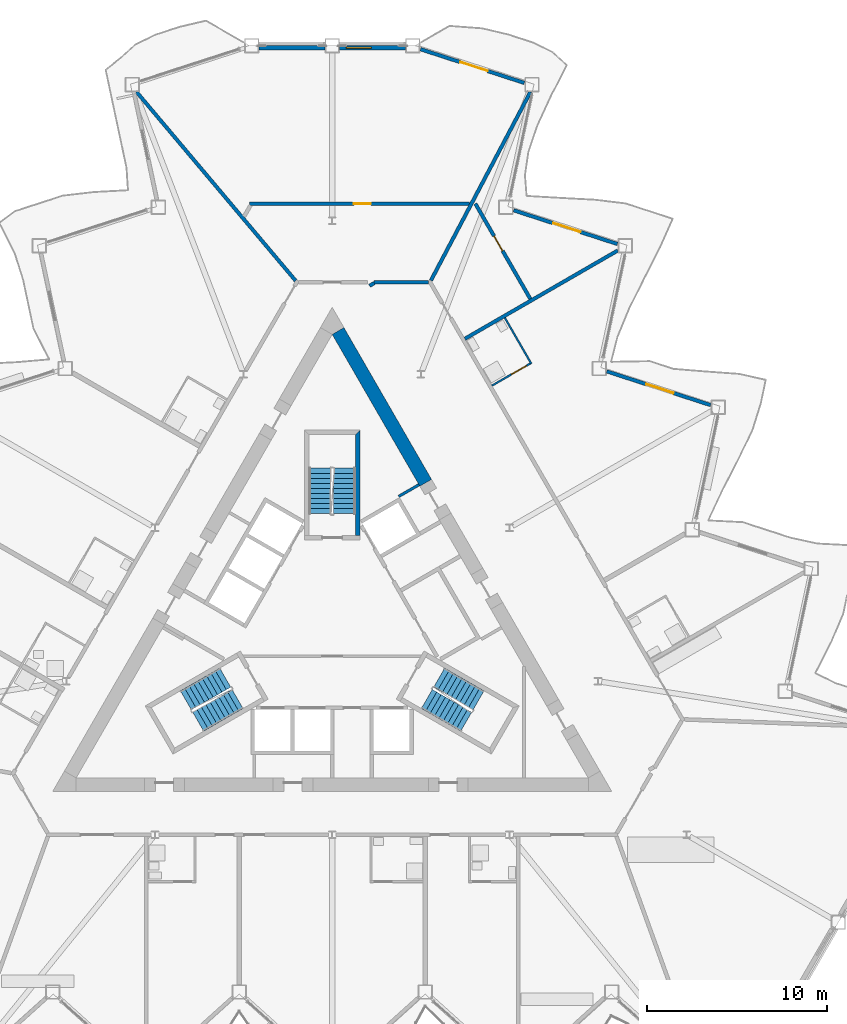
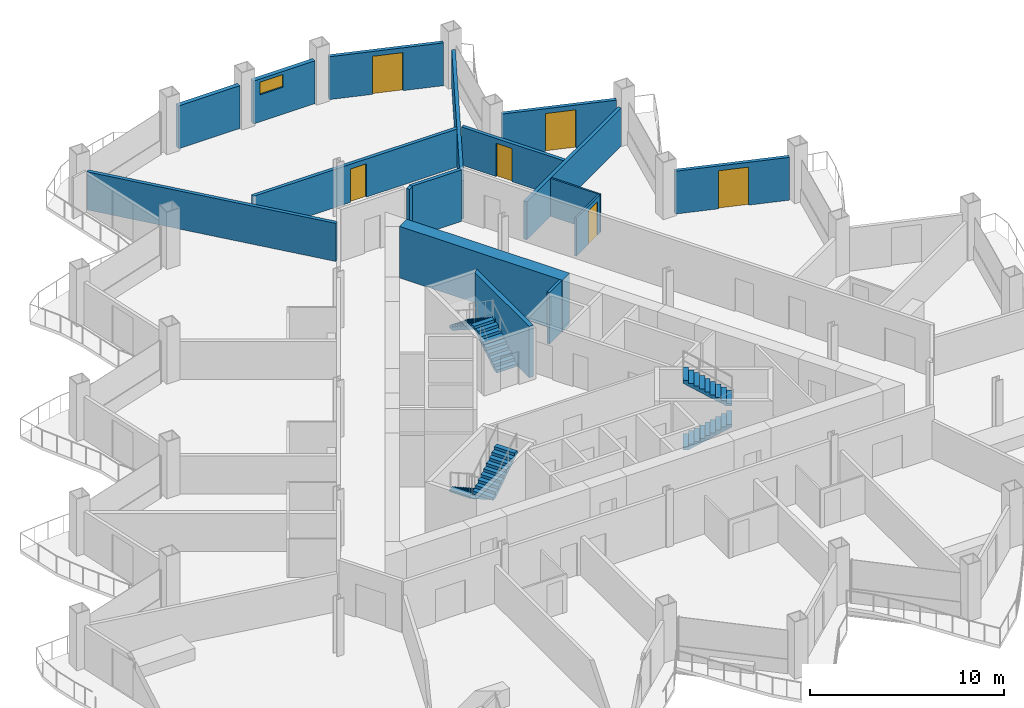
# One storey, part 15 of 23: 17 walls, 6 doors, 6 stair flights, 1 window, 7 openings, 3 elements without a shape of their own.
"""IFC4 building model written with IfcOpenShell, lengths in metres."""

from ifc_helpers import new_model, si_unit, direction, frame, frame_2d, origin, place, context, subcontext, project, spatial, polyline, rectangle, outline, extrude, material, layer, layer_set, type_object, element, fill, aggregate, save


model = new_model("IFC4")

# Units and contexts
model_context = context("Model", 3, precision=1e-05, world=origin(), true_north=direction((0.0, 1.0)))
body_context = subcontext(model_context, "Body", "Model", "MODEL_VIEW")
ifc_project = project(units=[si_unit("LENGTHUNIT", "METRE"), si_unit("AREAUNIT", "SQUARE_METRE"), si_unit("VOLUMEUNIT", "CUBIC_METRE"), si_unit("PLANEANGLEUNIT", "RADIAN"), si_unit("MASSUNIT", "GRAM", prefix="KILO")], contexts=[model_context])

# Site, building, storey
site_placement = place(None, origin())
site = spatial("IfcSite", under=ifc_project, at=site_placement, CompositionType="ELEMENT")
building_placement = place(site_placement, origin())
building = spatial("IfcBuilding", under=site, at=building_placement, Name="Cormorant Prow Tower", CompositionType="ELEMENT")
storey_placement = place(building_placement, frame((0.0, 0.0, 212.39990234375)))
storey = spatial("IfcBuildingStorey", under=building, at=storey_placement, Name="L47", CompositionType="ELEMENT", Elevation=212.39990234375)

# Walls
ifc_material_1 = material(Name="Gypsum board partition")
ifc_layer_1 = layer(ifc_material_1, 0.14990234375)
ifc_layer_set_1 = layer_set([ifc_layer_1], Name="Gypsum board partition")
wall_type_1 = type_object("IfcWallType", Name="Core partition 150", PredefinedType="PARTITIONING", material=ifc_layer_set_1)
wall_1_placement = place(storey_placement, frame((3.693359375, 7.4150390625, 0.0), z_axis=(0.0, 0.0, 1.0), x_axis=(0.866003189247, 0.500038474733, 0.0)))
element("IfcWall", 1, at=wall_1_placement, inside=storey, type_object=wall_type_1, Name="Service room partition", PredefinedType="PARTITIONING", context=body_context, shape_type="SweptSolid", body=[
    extrude(rectangle(XDim=1.29296875, YDim=0.14990234375, at=frame_2d((0.646484375, 0.0))), origin(), (0.0, 0.0, 1.0), 3.25),
])
ifc_material_2 = material(Name="Concrete 8000 psi", Category="concrete")
ifc_layer_2 = layer(ifc_material_2, 0.75)
ifc_layer_set_2 = layer_set([ifc_layer_2], Name="Concrete 8000 psi")
wall_type_2 = type_object("IfcWallType", Name="Core shear wall 750", PredefinedType="SHEAR", material=ifc_layer_set_2)
wall_2_placement = place(storey_placement, frame((5.185302734375, 8.166748046875, 0.0), z_axis=(0.0, 0.0, 1.0), x_axis=(-0.500004344816, 0.866022895289, 0.0)))
element("IfcWall", 2, at=wall_2_placement, inside=storey, type_object=wall_type_2, Name="Core wall", PredefinedType="SHEAR", context=body_context, shape_type="SweptSolid", body=[
    extrude(rectangle(XDim=9.72119140625, YDim=0.75, at=frame_2d((4.860595703125, 0.0))), origin(), (0.0, 0.0, 1.0), 3.25),
])
ifc_material_3 = material(Name="Gypsum board corridor wall")
ifc_layer_3 = layer(ifc_material_3, 0.199951171875)
ifc_layer_set_3 = layer_set([ifc_layer_3], Name="Gypsum board corridor wall")
wall_type_3 = type_object("IfcWallType", Name="Corridor wall 200", PredefinedType="PARTITIONING", material=ifc_layer_set_3)
wall_3_placement = place(storey_placement, frame((2.324951171875, 19.2978515625, 0.0), z_axis=(0.0, 0.0, 1.0), x_axis=(1.0, 0.0, 0.0)))
element("IfcWall", 3, at=wall_3_placement, inside=storey, type_object=wall_type_3, Name="Corridor wall", PredefinedType="PARTITIONING", context=body_context, shape_type="SweptSolid", body=[
    extrude(rectangle(XDim=3.002197265625, YDim=0.199951171875, at=frame_2d((1.5009765625, 0.0))), origin(), (0.0, 0.0, 1.0), 3.25),
])
wall_4_placement = place(storey_placement, frame((2.06982421875, 19.093017578125, 0.0), z_axis=(0.0, 0.0, 1.0), x_axis=(0.866395311824, 0.499358752451, 0.0)))
element("IfcWall", 4, at=wall_4_placement, inside=storey, type_object=wall_type_3, Name="Corridor wall", PredefinedType="PARTITIONING", context=body_context, shape_type="SweptSolid", body=[
    extrude(rectangle(XDim=0.31005859375, YDim=0.199951171875, at=frame_2d((0.155029296875, 0.0))), origin(), (0.0, 0.0, 1.0), 3.25),
])
ifc_material_4 = material(Name="Gypsum board demising wall")
ifc_layer_4 = layer(ifc_material_4, 0.199951171875)
ifc_layer_set_4 = layer_set([ifc_layer_4], Name="Gypsum board demising wall")
wall_type_4 = type_object("IfcWallType", Name="Demising wall 200", PredefinedType="PARTITIONING", material=ifc_layer_set_4)
wall_5_placement = place(storey_placement, frame((-10.848388671875, 29.841796875, 0.0), z_axis=(0.0, 0.0, 1.0), x_axis=(0.644393845782, -0.764693776305, 0.0)))
element("IfcWall", 5, at=wall_5_placement, inside=storey, type_object=wall_type_4, Name="Demising wall", PredefinedType="PARTITIONING", context=body_context, shape_type="SweptSolid", body=[
    extrude(rectangle(XDim=13.6884765625, YDim=0.199951171875, at=frame_2d((6.84423828125, 0.0))), origin(), (0.0, 0.0, 1.0), 2.404296875),
])

# Wall, opening, door
wall_6_placement = place(storey_placement, frame((-4.574462890625, 23.64794921875, 0.0), z_axis=(0.0, 0.0, 1.0), x_axis=(1.0, 0.0, 0.0)))
wall_6 = element("IfcWall", 6, at=wall_6_placement, inside=storey, type_object=wall_type_4, Name="Demising wall", PredefinedType="PARTITIONING", context=body_context, shape_type="SweptSolid", body=[
    extrude(rectangle(XDim=12.197509765625, YDim=0.199951171875, at=frame_2d((6.0986328125, 0.0))), origin(), (0.0, 0.0, 1.0), 2.404296875),
])
opening_1_placement = place(wall_6_placement, frame((5.7744140625, 0.0, 0.0)))
opening_1 = element("IfcOpeningElement", 7, at=opening_1_placement, cuts=wall_6, Name="Opening L47-F18", PredefinedType="OPENING", context=body_context, shape_type="SweptSolid", body=[
    extrude(rectangle(XDim=0.949951171875, YDim=2.10009765625, at=frame_2d((0.47509765625, 1.050048828125))), frame((0.0, 0.10986328125, 0.0), z_axis=(0.0, -1.0, 0.0), x_axis=(1.0, 0.0, 0.0)), (0.0, 0.0, 1.0), 0.219970703125),
])
ifc_material_5 = material(Name="Timber door leaf", Category="wood")
door_type_1 = type_object("IfcDoorType", Name="Store door 950x2100", OperationType="NOTDEFINED", PredefinedType="DOOR", material=ifc_material_5)
door_1_placement = place(opening_1_placement, origin())
door_1 = element("IfcDoor", 8, at=door_1_placement, inside=storey, type_object=door_type_1, Name="Luggage store door", OperationType="SINGLE_SWING_LEFT", OverallHeight=2.10009765625, OverallWidth=0.949951171875, PredefinedType="DOOR", context=body_context, shape_type="SweptSolid", body=[
    extrude(rectangle(XDim=0.949951171875, YDim=2.10009765625, at=frame_2d((0.47509765625, 1.050048828125))), frame((0.0, 0.02490234375, 0.0), z_axis=(0.0, -1.0, 0.0), x_axis=(1.0, 0.0, 0.0)), (0.0, 0.0, 1.0), 0.050048828125),
])
fill(opening_1, door_1)

# Walls
wall_7_placement = place(storey_placement, frame((5.473876953125, 19.38623046875, 0.0), z_axis=(0.0, 0.0, 1.0), x_axis=(0.46676490071, 0.884381437766, 0.0)))
element("IfcWall", 9, at=wall_7_placement, inside=storey, type_object=wall_type_4, Name="Demising wall", PredefinedType="PARTITIONING", context=body_context, shape_type="SweptSolid", body=[
    extrude(rectangle(XDim=11.822509765625, YDim=0.199951171875, at=frame_2d((5.9111328125, 0.0))), origin(), (0.0, 0.0, 1.0), 2.404296875),
])
wall_8_placement = place(storey_placement, frame((7.357421875, 16.154296875, 0.0), z_axis=(0.0, 0.0, 1.0), x_axis=(0.866029004385, 0.499993763526, 0.0)))
element("IfcWall", 10, at=wall_8_placement, inside=storey, type_object=wall_type_4, Name="Demising wall", PredefinedType="PARTITIONING", context=body_context, shape_type="SweptSolid", body=[
    extrude(rectangle(XDim=9.788818359375, YDim=0.199951171875, at=frame_2d((4.89453125, 0.0))), origin(), (0.0, 0.0, 1.0), 2.404296875),
])

# Wall, opening, door
wall_9_placement = place(storey_placement, frame((7.938720703125, 23.64794921875, 0.0), z_axis=(0.0, 0.0, 1.0), x_axis=(0.499970785833, -0.866042269935, 0.0)))
wall_9 = element("IfcWall", 11, at=wall_9_placement, inside=storey, type_object=wall_type_4, Name="Demising wall", PredefinedType="PARTITIONING", context=body_context, shape_type="SweptSolid", body=[
    extrude(rectangle(XDim=6.098876953125, YDim=0.199951171875, at=frame_2d((3.04931640625, 0.0))), origin(), (0.0, 0.0, 1.0), 2.404296875),
])
opening_2_placement = place(wall_9_placement, frame((2.069091796875, 0.0, 0.0)))
opening_2 = element("IfcOpeningElement", 12, at=opening_2_placement, cuts=wall_9, Name="Opening L47-F16", PredefinedType="OPENING", context=body_context, shape_type="SweptSolid", body=[
    extrude(rectangle(XDim=0.949951171875, YDim=2.10009765625, at=frame_2d((0.47509765625, 1.050048828125))), frame((0.0, 0.10986328125, 0.0), z_axis=(0.0, -1.0, 0.0), x_axis=(1.0, 0.0, 0.0)), (0.0, 0.0, 1.0), 0.219970703125),
])
door_2_placement = place(opening_2_placement, origin())
door_2 = element("IfcDoor", 13, at=door_2_placement, inside=storey, type_object=door_type_1, Name="Linen store door", OperationType="SINGLE_SWING_RIGHT", OverallHeight=2.10009765625, OverallWidth=0.949951171875, PredefinedType="DOOR", context=body_context, shape_type="SweptSolid", body=[
    extrude(rectangle(XDim=0.949951171875, YDim=2.10009765625, at=frame_2d((0.47509765625, 1.050048828125))), frame((0.0, 0.02490234375, 0.0), z_axis=(0.0, -1.0, 0.0), x_axis=(1.0, 0.0, 0.0)), (0.0, 0.0, 1.0), 0.050048828125),
])
fill(opening_2, door_2)

# Wall
ifc_material_6 = material(Name="Gypsum board partition")
ifc_layer_5 = layer(ifc_material_6, 0.10009765625)
ifc_layer_set_5 = layer_set([ifc_layer_5], Name="Gypsum board partition")
wall_type_5 = type_object("IfcWallType", Name="Internal partition 100", PredefinedType="PARTITIONING", material=ifc_layer_set_5)
wall_10_placement = place(storey_placement, frame((9.572509765625, 17.317626953125, 0.0), z_axis=(0.0, 0.0, 1.0), x_axis=(0.500037662692, -0.866003658127, 0.0)))
element("IfcWall", 14, at=wall_10_placement, inside=storey, type_object=wall_type_5, Name="Internal partition", PredefinedType="PARTITIONING", context=body_context, shape_type="SweptSolid", body=[
    extrude(rectangle(XDim=2.949951171875, YDim=0.10009765625, at=frame_2d((1.47509765625, 0.0))), origin(), (0.0, 0.0, 1.0), 2.404296875),
])

# Wall, opening, door
wall_11_placement = place(storey_placement, frame((8.857421875, 13.55615234375, 0.0), z_axis=(0.0, 0.0, 1.0), x_axis=(0.866014668023, 0.500018594424, 0.0)))
wall_11 = element("IfcWall", 15, at=wall_11_placement, inside=storey, type_object=wall_type_5, Name="Internal partition", PredefinedType="PARTITIONING", context=body_context, shape_type="SweptSolid", body=[
    extrude(rectangle(XDim=2.4501953125, YDim=0.10009765625, at=frame_2d((1.22509765625, 0.0))), origin(), (0.0, 0.0, 1.0), 2.404296875),
])
opening_3_placement = place(wall_11_placement, frame((1.25, 0.0, 0.0)))
opening_3 = element("IfcOpeningElement", 16, at=opening_3_placement, cuts=wall_11, Name="Opening L47-F14", PredefinedType="OPENING", context=body_context, shape_type="SweptSolid", body=[
    extrude(rectangle(XDim=0.949951171875, YDim=2.10009765625, at=frame_2d((0.47509765625, 1.050048828125))), frame((0.0, 0.06005859375, 0.0), z_axis=(0.0, -1.0, 0.0), x_axis=(1.0, 0.0, 0.0)), (0.0, 0.0, 1.0), 0.1201171875),
])
ifc_material_7 = material(Name="Timber door leaf", Category="wood")
door_type_2 = type_object("IfcDoorType", Name="Bathroom door 950x2100", OperationType="NOTDEFINED", PredefinedType="DOOR", material=ifc_material_7)
door_3_placement = place(opening_3_placement, origin())
door_3 = element("IfcDoor", 17, at=door_3_placement, inside=storey, type_object=door_type_2, Name="Executive suite bedroom door", OperationType="SINGLE_SWING_RIGHT", OverallHeight=2.10009765625, OverallWidth=0.949951171875, PredefinedType="DOOR", context=body_context, shape_type="SweptSolid", body=[
    extrude(rectangle(XDim=0.949951171875, YDim=2.10009765625, at=frame_2d((0.47509765625, 1.050048828125))), frame((0.0, 0.02490234375, 0.0), z_axis=(0.0, -1.0, 0.0), x_axis=(1.0, 0.0, 0.0)), (0.0, 0.0, 1.0), 0.050048828125),
])
fill(opening_3, door_3)

# Wall
ifc_material_8 = material(Name="Concrete 8000 psi", Category="concrete")
ifc_layer_6 = layer(ifc_material_8, 0.25)
ifc_layer_set_6 = layer_set([ifc_layer_6], Name="Concrete 8000 psi")
wall_type_6 = type_object("IfcWallType", Name="Stair wall 250", PredefinedType="SHEAR", material=ifc_layer_set_6)
wall_12_placement = place(storey_placement, origin())
element("IfcWall", 18, at=wall_12_placement, inside=storey, type_object=wall_type_6, Name="Stair ST3 enclosure wall (flank)", PredefinedType="SHEAR", context=body_context, shape_type="SweptSolid", body=[
    extrude(outline(polyline([(1.5439453125, 5.23681640625), (1.5439453125, 11.0869140625), (1.2939453125, 10.8369140625), (1.2939453125, 5.23681640625), (1.5439453125, 5.23681640625)])), origin(), (0.0, 0.0, 1.0), 3.25),
])

# Wall, opening, window
ifc_material_9 = material(Name="Terracotta", Category="masonry")
ifc_layer_7 = layer(ifc_material_9, 0.25)
ifc_layer_set_7 = layer_set([ifc_layer_7], Name="Terracotta")
wall_type_7 = type_object("IfcWallType", Name="Terracotta bay wall 250", PredefinedType="SOLIDWALL", material=ifc_layer_set_7)
wall_13_placement = place(storey_placement, frame((4.0703125, 32.2919921875, 0.0), z_axis=(0.0, 0.0, 1.0), x_axis=(-1.0, 0.0, 0.0)))
wall_13 = element("IfcWall", 19, at=wall_13_placement, inside=storey, type_object=wall_type_7, Name="Terracotta bay wall N00", PredefinedType="SOLIDWALL", context=body_context, shape_type="SweptSolid", body=[
    extrude(rectangle(XDim=3.67041015625, YDim=0.25, at=frame_2d((1.835205078125, 0.0))), origin(), (0.0, 0.0, 1.0), 2.700927734375),
])
opening_4_placement = place(wall_13_placement, frame((1.89697265625, 0.0, 1.699951171875)))
opening_4 = element("IfcOpeningElement", 20, at=opening_4_placement, cuts=wall_13, Name="Opening WN3", PredefinedType="OPENING", context=body_context, shape_type="SweptSolid", body=[
    extrude(rectangle(XDim=1.39990234375, YDim=0.800048828125, at=frame_2d((0.699951171875, 0.39990234375))), frame((0.0, 0.135009765625, 0.0), z_axis=(0.0, -1.0, 0.0), x_axis=(1.0, 0.0, 0.0)), (0.0, 0.0, 1.0), 0.27001953125),
])
ifc_material_10 = material(Name="Aluminium 6063-T6", Category="aluminium")
window_type = type_object("IfcWindowType", Name="Corner bay window 1400x800", PartitioningType="SINGLE_PANEL", PredefinedType="WINDOW", material=ifc_material_10)
window_placement = place(opening_4_placement, origin())
window = element("IfcWindow", 21, at=window_placement, inside=storey, type_object=window_type, Name="Corner bay window N00", OverallHeight=0.800048828125, OverallWidth=1.39990234375, PartitioningType="SINGLE_PANEL", PredefinedType="WINDOW", context=body_context, shape_type="SweptSolid", body=[
    extrude(rectangle(XDim=1.39990234375, YDim=0.800048828125, at=frame_2d((0.699951171875, 0.39990234375))), frame((0.0, 0.030029296875, 0.0), z_axis=(0.0, -1.0, 0.0), x_axis=(1.0, 0.0, 0.0)), (0.0, 0.0, 1.0), 0.06005859375),
])
fill(opening_4, window)

# Wall
wall_14_placement = place(storey_placement, frame((-0.39990234375, 32.2919921875, 0.0), z_axis=(0.0, 0.0, 1.0), x_axis=(-1.0, 0.0, 0.0)))
element("IfcWall", 22, at=wall_14_placement, inside=storey, type_object=wall_type_7, Name="Terracotta bay wall N01", PredefinedType="SOLIDWALL", context=body_context, shape_type="SweptSolid", body=[
    extrude(rectangle(XDim=3.67041015625, YDim=0.25, at=frame_2d((1.835205078125, 0.0))), origin(), (0.0, 0.0, 1.0), 2.700927734375),
])

# Wall, opening, door
ifc_material_11 = material(Name="Terracotta", Category="masonry")
ifc_layer_8 = layer(ifc_material_11, 0.199951171875)
ifc_layer_set_8 = layer_set([ifc_layer_8], Name="Terracotta")
wall_type_8 = type_object("IfcWallType", Name="Terracotta jamb wall 200", PredefinedType="SOLIDWALL", material=ifc_layer_set_8)
wall_15_placement = place(storey_placement, frame((20.98486328125, 12.47607421875, 0.0), z_axis=(0.0, 0.0, 1.0), x_axis=(-0.951058356211, 0.30901133164, 0.0)))
wall_15 = element("IfcWall", 23, at=wall_15_placement, inside=storey, type_object=wall_type_8, Name="Terracotta jamb wall ENE05", PredefinedType="SOLIDWALL", context=body_context, shape_type="SweptSolid", body=[
    extrude(rectangle(XDim=6.056640625, YDim=0.199951171875, at=frame_2d((3.0283203125, 0.0))), origin(), (0.0, 0.0, 1.0), 2.700927734375),
])
opening_5_placement = place(wall_15_placement, frame((2.15869140625, 0.0, 0.0)))
opening_5 = element("IfcOpeningElement", 24, at=opening_5_placement, cuts=wall_15, Name="Opening ED47.08", PredefinedType="OPENING", context=body_context, shape_type="SweptSolid", body=[
    extrude(rectangle(XDim=1.60009765625, YDim=2.39990234375, at=frame_2d((0.800048828125, 1.199951171875))), frame((0.0, 0.10986328125, 0.0), z_axis=(0.0, -1.0, 0.0), x_axis=(1.0, 0.0, 0.0)), (0.0, 0.0, 1.0), 0.219970703125),
])
ifc_material_12 = material(Name="Aluminium 6063-T6", Category="aluminium")
door_type_3 = type_object("IfcDoorType", Name="Balcony door 1600x2400", OperationType="DOUBLE_DOOR_SINGLE_SWING", PredefinedType="DOOR", material=ifc_material_12)
door_4_placement = place(opening_5_placement, origin())
door_4 = element("IfcDoor", 25, at=door_4_placement, inside=storey, type_object=door_type_3, Name="Balcony door ENE05 ED47.08", OperationType="DOUBLE_DOOR_SINGLE_SWING", OverallHeight=2.39990234375, OverallWidth=1.60009765625, PredefinedType="DOOR", context=body_context, shape_type="SweptSolid", body=[
    extrude(rectangle(XDim=1.60009765625, YDim=2.39990234375, at=frame_2d((0.800048828125, 1.199951171875))), frame((0.0, 0.02490234375, 0.0), z_axis=(0.0, -1.0, 0.0), x_axis=(1.0, 0.0, 0.0)), (0.0, 0.0, 1.0), 0.050048828125),
])
fill(opening_5, door_4)

wall_16_placement = place(storey_placement, frame((15.820068359375, 21.408935546875, 0.0), z_axis=(0.0, 0.0, 1.0), x_axis=(-0.951058356211, 0.30901133164, 0.0)))
wall_16 = element("IfcWall", 26, at=wall_16_placement, inside=storey, type_object=wall_type_8, Name="Terracotta jamb wall ENE07", PredefinedType="SOLIDWALL", context=body_context, shape_type="SweptSolid", body=[
    extrude(rectangle(XDim=6.056640625, YDim=0.199951171875, at=frame_2d((3.0283203125, 0.0))), origin(), (0.0, 0.0, 1.0), 2.700927734375),
])
opening_6_placement = place(wall_16_placement, frame((2.149169921875, 0.0, 0.0)))
opening_6 = element("IfcOpeningElement", 27, at=opening_6_placement, cuts=wall_16, Name="Opening ED47.09", PredefinedType="OPENING", context=body_context, shape_type="SweptSolid", body=[
    extrude(rectangle(XDim=1.60009765625, YDim=2.39990234375, at=frame_2d((0.800048828125, 1.199951171875))), frame((0.0, 0.10986328125, 0.0), z_axis=(0.0, -1.0, 0.0), x_axis=(1.0, 0.0, 0.0)), (0.0, 0.0, 1.0), 0.219970703125),
])
door_5_placement = place(opening_6_placement, origin())
door_5 = element("IfcDoor", 28, at=door_5_placement, inside=storey, type_object=door_type_3, Name="Balcony door ENE07 ED47.09", OperationType="DOUBLE_DOOR_SINGLE_SWING", OverallHeight=2.39990234375, OverallWidth=1.60009765625, PredefinedType="DOOR", context=body_context, shape_type="SweptSolid", body=[
    extrude(rectangle(XDim=1.60009765625, YDim=2.39990234375, at=frame_2d((0.800048828125, 1.199951171875))), frame((0.0, 0.02490234375, 0.0), z_axis=(0.0, -1.0, 0.0), x_axis=(1.0, 0.0, 0.0)), (0.0, 0.0, 1.0), 0.050048828125),
])
fill(opening_6, door_5)

wall_17_placement = place(storey_placement, frame((10.6552734375, 30.341552734375, 0.0), z_axis=(0.0, 0.0, 1.0), x_axis=(-0.951054506932, 0.309023178491, 0.0)))
wall_17 = element("IfcWall", 29, at=wall_17_placement, inside=storey, type_object=wall_type_8, Name="Terracotta jamb wall ENE09", PredefinedType="SOLIDWALL", context=body_context, shape_type="SweptSolid", body=[
    extrude(rectangle(XDim=6.056396484375, YDim=0.199951171875, at=frame_2d((3.0283203125, 0.0))), origin(), (0.0, 0.0, 1.0), 2.700927734375),
])
opening_7_placement = place(wall_17_placement, frame((2.1396484375, 0.0, 0.0)))
opening_7 = element("IfcOpeningElement", 30, at=opening_7_placement, cuts=wall_17, Name="Opening ED47.10", PredefinedType="OPENING", context=body_context, shape_type="SweptSolid", body=[
    extrude(rectangle(XDim=1.60009765625, YDim=2.39990234375, at=frame_2d((0.800048828125, 1.199951171875))), frame((0.0, 0.10986328125, 0.0), z_axis=(0.0, -1.0, 0.0), x_axis=(1.0, 0.0, 0.0)), (0.0, 0.0, 1.0), 0.219970703125),
])
door_6_placement = place(opening_7_placement, origin())
door_6 = element("IfcDoor", 31, at=door_6_placement, inside=storey, type_object=door_type_3, Name="Balcony door ENE09 ED47.10", OperationType="DOUBLE_DOOR_SINGLE_SWING", OverallHeight=2.39990234375, OverallWidth=1.60009765625, PredefinedType="DOOR", context=body_context, shape_type="SweptSolid", body=[
    extrude(rectangle(XDim=1.60009765625, YDim=2.39990234375, at=frame_2d((0.800048828125, 1.199951171875))), frame((0.0, 0.02490234375, 0.0), z_axis=(0.0, -1.0, 0.0), x_axis=(1.0, 0.0, 0.0)), (0.0, 0.0, 1.0), 0.050048828125),
])
fill(opening_7, door_6)

# Stair, stair flights
ifc_material_13 = material(Name="Exit stair 20 risers")
stair_type = type_object("IfcStairType", Name="Exit stair 20 risers", PredefinedType="HALF_TURN_STAIR", material=ifc_material_13)
stair_1_placement = place(storey_placement, origin())
stair_1 = element("IfcStair", 32, at=stair_1_placement, inside=storey, type_object=stair_type, Name="L47 Exit stair ST1", PredefinedType="HALF_TURN_STAIR")
ifc_material_14 = material(Name="Concrete 5000 psi", Category="concrete")
stair_flight_type = type_object("IfcStairFlightType", Name="Stair flight 1219", PredefinedType="STRAIGHT", material=ifc_material_14)
stair_flight_1_placement = place(storey_placement, frame((-5.93310546875, -2.635009765625, 0.0), z_axis=(0.0, 0.0, 1.0), x_axis=(-0.866025403784, -0.5, 0.0)))
stair_flight_1 = element("IfcStairFlight", 33, at=stair_flight_1_placement, type_object=stair_flight_type, Name="ST1 flight 1", NumberOfRisers=10, NumberOfTreads=9, PredefinedType="STRAIGHT", RiserHeight=0.18, TreadLength=0.28, context=body_context, shape_type="SweptSolid", body=[
    extrude(outline(polyline([(0.0, 0.0), (0.0, 0.179931640625), (0.280029296875, 0.179931640625), (0.280029296875, 0.360107421875), (0.56005859375, 0.360107421875), (0.56005859375, 0.5400390625), (0.840087890625, 0.5400390625), (0.840087890625, 0.719970703125), (1.1201171875, 0.719970703125), (1.1201171875, 0.89990234375), (1.39990234375, 0.89990234375), (1.39990234375, 1.080078125), (1.679931640625, 1.080078125), (1.679931640625, 1.260009765625), (1.9599609375, 1.260009765625), (1.9599609375, 1.43994140625), (2.239990234375, 1.43994140625), (2.239990234375, 1.6201171875), (2.52001953125, 1.6201171875), (2.52001953125, 1.800048828125), (2.52001953125, 1.44189453125), (0.277099609375, 0.0), (0.0, 0.0)])), frame((0.0, 0.609375, 0.0), z_axis=(0.0, -1.0, 0.0), x_axis=(1.0, 0.0, 0.0)), (0.0, 0.0, 1.0), 1.218994140625),
])
stair_flight_2_placement = place(storey_placement, frame((-7.43115234375, -5.080810546875, 1.800048828125), z_axis=(0.0, 0.0, 1.0), x_axis=(0.866025403784, 0.5, 0.0)))
stair_flight_2 = element("IfcStairFlight", 34, at=stair_flight_2_placement, type_object=stair_flight_type, Name="ST1 flight 2", NumberOfRisers=10, NumberOfTreads=9, PredefinedType="STRAIGHT", RiserHeight=0.18, TreadLength=0.28, context=body_context, shape_type="SweptSolid", body=[
    extrude(outline(polyline([(0.0, 0.0), (0.0, 0.179931640625), (0.280029296875, 0.179931640625), (0.280029296875, 0.360107421875), (0.56005859375, 0.360107421875), (0.56005859375, 0.5400390625), (0.840087890625, 0.5400390625), (0.840087890625, 0.719970703125), (1.1201171875, 0.719970703125), (1.1201171875, 0.89990234375), (1.39990234375, 0.89990234375), (1.39990234375, 1.080078125), (1.679931640625, 1.080078125), (1.679931640625, 1.260009765625), (1.9599609375, 1.260009765625), (1.9599609375, 1.43994140625), (2.239990234375, 1.43994140625), (2.239990234375, 1.6201171875), (2.52001953125, 1.6201171875), (2.52001953125, 1.800048828125), (2.52001953125, 1.44189453125), (0.277099609375, 0.0), (0.0, 0.0)])), frame((0.0, 0.609375, 0.0), z_axis=(0.0, -1.0, 0.0), x_axis=(1.0, 0.0, 0.0)), (0.0, 0.0, 1.0), 1.218994140625),
])
aggregate(stair_1, [stair_flight_1, stair_flight_2])

stair_2_placement = place(storey_placement, origin())
stair_2 = element("IfcStair", 35, at=stair_2_placement, inside=storey, type_object=stair_type, Name="L47 Exit stair ST2", PredefinedType="HALF_TURN_STAIR")
stair_flight_3_placement = place(storey_placement, frame((5.24853515625, -3.82080078125, 0.0), z_axis=(0.0, 0.0, 1.0), x_axis=(0.866025403784, -0.5, 0.0)))
stair_flight_3 = element("IfcStairFlight", 36, at=stair_flight_3_placement, type_object=stair_flight_type, Name="ST2 flight 1", NumberOfRisers=10, NumberOfTreads=9, PredefinedType="STRAIGHT", RiserHeight=0.18, TreadLength=0.28, context=body_context, shape_type="SweptSolid", body=[
    extrude(outline(polyline([(0.0, 0.0), (0.0, 0.179931640625), (0.280029296875, 0.179931640625), (0.280029296875, 0.360107421875), (0.56005859375, 0.360107421875), (0.56005859375, 0.5400390625), (0.840087890625, 0.5400390625), (0.840087890625, 0.719970703125), (1.1201171875, 0.719970703125), (1.1201171875, 0.89990234375), (1.39990234375, 0.89990234375), (1.39990234375, 1.080078125), (1.679931640625, 1.080078125), (1.679931640625, 1.260009765625), (1.9599609375, 1.260009765625), (1.9599609375, 1.43994140625), (2.239990234375, 1.43994140625), (2.239990234375, 1.6201171875), (2.52001953125, 1.6201171875), (2.52001953125, 1.800048828125), (2.52001953125, 1.44189453125), (0.277099609375, 0.0), (0.0, 0.0)])), frame((0.0, 0.609375, 0.0), z_axis=(0.0, -1.0, 0.0), x_axis=(1.0, 0.0, 0.0)), (0.0, 0.0, 1.0), 1.218994140625),
])
stair_flight_4_placement = place(storey_placement, frame((8.115478515625, -3.89501953125, 1.800048828125), z_axis=(0.0, 0.0, 1.0), x_axis=(-0.866025403784, 0.5, 0.0)))
stair_flight_4 = element("IfcStairFlight", 37, at=stair_flight_4_placement, type_object=stair_flight_type, Name="ST2 flight 2", NumberOfRisers=10, NumberOfTreads=9, PredefinedType="STRAIGHT", RiserHeight=0.18, TreadLength=0.28, context=body_context, shape_type="SweptSolid", body=[
    extrude(outline(polyline([(0.0, 0.0), (0.0, 0.179931640625), (0.280029296875, 0.179931640625), (0.280029296875, 0.360107421875), (0.56005859375, 0.360107421875), (0.56005859375, 0.5400390625), (0.840087890625, 0.5400390625), (0.840087890625, 0.719970703125), (1.1201171875, 0.719970703125), (1.1201171875, 0.89990234375), (1.39990234375, 0.89990234375), (1.39990234375, 1.080078125), (1.679931640625, 1.080078125), (1.679931640625, 1.260009765625), (1.9599609375, 1.260009765625), (1.9599609375, 1.43994140625), (2.239990234375, 1.43994140625), (2.239990234375, 1.6201171875), (2.52001953125, 1.6201171875), (2.52001953125, 1.800048828125), (2.52001953125, 1.44189453125), (0.277099609375, 0.0), (0.0, 0.0)])), frame((0.0, 0.609375, 0.0), z_axis=(0.0, -1.0, 0.0), x_axis=(1.0, 0.0, 0.0)), (0.0, 0.0, 1.0), 1.218994140625),
])
aggregate(stair_2, [stair_flight_3, stair_flight_4])

stair_3_placement = place(storey_placement, origin())
stair_3 = element("IfcStair", 38, at=stair_3_placement, inside=storey, type_object=stair_type, Name="L47 Exit stair ST3", PredefinedType="HALF_TURN_STAIR")
stair_flight_5_placement = place(storey_placement, frame((0.6845703125, 6.455810546875, 0.0), z_axis=(0.0, 0.0, 1.0), x_axis=(0.0, 1.0, 0.0)))
stair_flight_5 = element("IfcStairFlight", 39, at=stair_flight_5_placement, type_object=stair_flight_type, Name="ST3 flight 1", NumberOfRisers=10, NumberOfTreads=9, PredefinedType="STRAIGHT", RiserHeight=0.18, TreadLength=0.28, context=body_context, shape_type="SweptSolid", body=[
    extrude(outline(polyline([(0.0, 0.0), (0.0, 0.179931640625), (0.280029296875, 0.179931640625), (0.280029296875, 0.360107421875), (0.56005859375, 0.360107421875), (0.56005859375, 0.5400390625), (0.840087890625, 0.5400390625), (0.840087890625, 0.719970703125), (1.1201171875, 0.719970703125), (1.1201171875, 0.89990234375), (1.39990234375, 0.89990234375), (1.39990234375, 1.080078125), (1.679931640625, 1.080078125), (1.679931640625, 1.260009765625), (1.9599609375, 1.260009765625), (1.9599609375, 1.43994140625), (2.239990234375, 1.43994140625), (2.239990234375, 1.6201171875), (2.52001953125, 1.6201171875), (2.52001953125, 1.800048828125), (2.52001953125, 1.44189453125), (0.277099609375, 0.0), (0.0, 0.0)])), frame((0.0, 0.609375, 0.0), z_axis=(0.0, -1.0, 0.0), x_axis=(1.0, 0.0, 0.0)), (0.0, 0.0, 1.0), 1.218994140625),
])
stair_flight_6_placement = place(storey_placement, frame((-0.6845703125, 8.975830078125, 1.800048828125), z_axis=(0.0, 0.0, 1.0), x_axis=(0.0, -1.0, 0.0)))
stair_flight_6 = element("IfcStairFlight", 40, at=stair_flight_6_placement, type_object=stair_flight_type, Name="ST3 flight 2", NumberOfRisers=10, NumberOfTreads=9, PredefinedType="STRAIGHT", RiserHeight=0.18, TreadLength=0.28, context=body_context, shape_type="SweptSolid", body=[
    extrude(outline(polyline([(0.0, 0.0), (0.0, 0.179931640625), (0.280029296875, 0.179931640625), (0.280029296875, 0.360107421875), (0.56005859375, 0.360107421875), (0.56005859375, 0.5400390625), (0.840087890625, 0.5400390625), (0.840087890625, 0.719970703125), (1.1201171875, 0.719970703125), (1.1201171875, 0.89990234375), (1.39990234375, 0.89990234375), (1.39990234375, 1.080078125), (1.679931640625, 1.080078125), (1.679931640625, 1.260009765625), (1.9599609375, 1.260009765625), (1.9599609375, 1.43994140625), (2.239990234375, 1.43994140625), (2.239990234375, 1.6201171875), (2.52001953125, 1.6201171875), (2.52001953125, 1.800048828125), (2.52001953125, 1.44189453125), (0.277099609375, 0.0), (0.0, 0.0)])), frame((0.0, 0.609375, 0.0), z_axis=(0.0, -1.0, 0.0), x_axis=(1.0, 0.0, 0.0)), (0.0, 0.0, 1.0), 1.218994140625),
])
aggregate(stair_3, [stair_flight_5, stair_flight_6])

save(model, "model.ifc")
